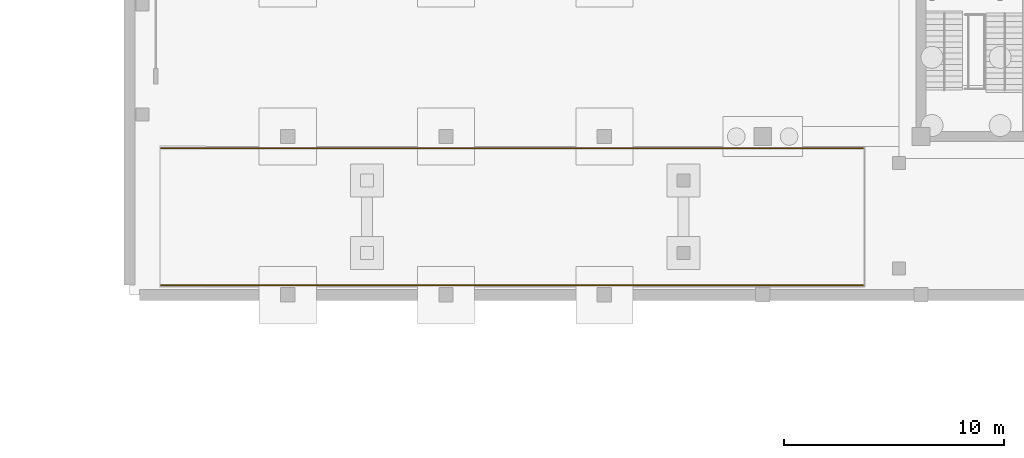
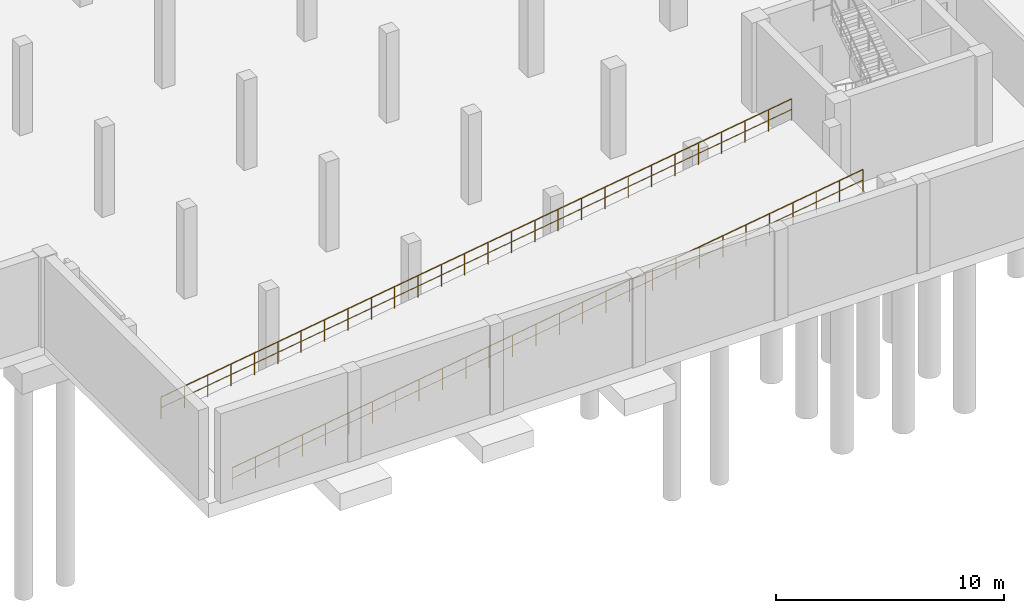
# One storey, part 16 of 19: 2 railings.
"""IFC4 building model written with IfcOpenShell, lengths in metres."""

from ifc_helpers import new_model, si_unit, direction, frame, origin, origin_2d, place, context, subcontext, project, spatial, circle, extrude, material, type_object, element, save


model = new_model("IFC4")

# Units and contexts
model_context = context("Model", 3, precision=1e-05, world=origin(), true_north=direction((0.0, 1.0)))
body_context = subcontext(model_context, "Body", "Model", "MODEL_VIEW")
ifc_project = project(units=[si_unit("LENGTHUNIT", "METRE"), si_unit("AREAUNIT", "SQUARE_METRE"), si_unit("VOLUMEUNIT", "CUBIC_METRE"), si_unit("PLANEANGLEUNIT", "RADIAN"), si_unit("MASSUNIT", "GRAM", prefix="KILO")], contexts=[model_context])

# Site, building, storey
site_placement = place(None, origin())
site = spatial("IfcSite", under=ifc_project, at=site_placement, CompositionType="ELEMENT")
building_placement = place(site_placement, origin())
building = spatial("IfcBuilding", under=site, at=building_placement, Name="Qiaolan Assembly House", CompositionType="ELEMENT")
storey_placement = place(building_placement, frame((0.0, 0.0, -4.800048828125)))
storey = spatial("IfcBuildingStorey", under=building, at=storey_placement, Name="B1", CompositionType="ELEMENT", Elevation=-4.800048828125)

# Railings
ifc_material = material(Name="Anodised bronze aluminium", Category="aluminium")
railing_type = type_object("IfcRailingType", Name="RAL-GUARD-TERRACE-1180", PredefinedType="GUARDRAIL", material=ifc_material)
railing_1_placement = place(storey_placement, frame((141.360107421875, 22.030029296875, 4.7939453125)))
element("IfcRailing", 1, at=railing_1_placement, inside=storey, type_object=railing_type, Name="GR-03 sloped vehicle ramp edge guard GRD-VRMP-B1-S", PredefinedType="GUARDRAIL", context=body_context, shape_type="SweptSolid", body=[
    extrude(circle(Radius=0.02392578125, at=origin_2d()), frame((0.0, 0.0, 1.15576171875), z_axis=(-0.988937185063, 0.0, -0.148334904863), x_axis=(0.0, -1.0, 0.0)), (0.0, 0.0, 1.0), 32.27734375),
    extrude(circle(Radius=0.01611328125, at=origin_2d()), frame((0.0, 0.0, 0.58984375), z_axis=(-0.988937185063, 0.0, -0.148334904863), x_axis=(0.0, -1.0, 0.0)), (0.0, 0.0, 1.0), 32.27734375),
    extrude(circle(Radius=0.02099609375, at=origin_2d()), origin(), (0.0, 0.0, 1.0), 1.1318359375),
    extrude(circle(Radius=0.02099609375, at=origin_2d()), frame((-1.18212890625, 0.0, -0.17724609375)), (0.0, 0.0, 1.0), 1.1318359375),
    extrude(circle(Radius=0.02099609375, at=origin_2d()), frame((-2.364501953125, 0.0, -0.354736328125)), (0.0, 0.0, 1.0), 1.1318359375),
    extrude(circle(Radius=0.02099609375, at=origin_2d()), frame((-3.546630859375, 0.0, -0.531982421875)), (0.0, 0.0, 1.0), 1.1318359375),
    extrude(circle(Radius=0.02099609375, at=origin_2d()), frame((-4.72900390625, 0.0, -0.709228515625)), (0.0, 0.0, 1.0), 1.1318359375),
    extrude(circle(Radius=0.02099609375, at=origin_2d()), frame((-5.9111328125, 0.0, -0.88671875)), (0.0, 0.0, 1.0), 1.1318359375),
    extrude(circle(Radius=0.02099609375, at=origin_2d()), frame((-7.09326171875, 0.0, -1.06396484375)), (0.0, 0.0, 1.0), 1.1318359375),
    extrude(circle(Radius=0.02099609375, at=origin_2d()), frame((-8.275634765625, 0.0, -1.2412109375)), (0.0, 0.0, 1.0), 1.1318359375),
    extrude(circle(Radius=0.02099609375, at=origin_2d()), frame((-9.457763671875, 0.0, -1.418701171875)), (0.0, 0.0, 1.0), 1.1318359375),
    extrude(circle(Radius=0.02099609375, at=origin_2d()), frame((-10.64013671875, 0.0, -1.595947265625)), (0.0, 0.0, 1.0), 1.1318359375),
    extrude(circle(Radius=0.02099609375, at=origin_2d()), frame((-11.822265625, 0.0, -1.773193359375)), (0.0, 0.0, 1.0), 1.1318359375),
    extrude(circle(Radius=0.02099609375, at=origin_2d()), frame((-13.00439453125, 0.0, -1.95068359375)), (0.0, 0.0, 1.0), 1.1318359375),
    extrude(circle(Radius=0.02099609375, at=origin_2d()), frame((-14.186767578125, 0.0, -2.1279296875)), (0.0, 0.0, 1.0), 1.1318359375),
    extrude(circle(Radius=0.02099609375, at=origin_2d()), frame((-15.368896484375, 0.0, -2.30517578125)), (0.0, 0.0, 1.0), 1.1318359375),
    extrude(circle(Radius=0.02099609375, at=origin_2d()), frame((-16.55126953125, 0.0, -2.482666015625)), (0.0, 0.0, 1.0), 1.1318359375),
    extrude(circle(Radius=0.02099609375, at=origin_2d()), frame((-17.7333984375, 0.0, -2.659912109375)), (0.0, 0.0, 1.0), 1.1318359375),
    extrude(circle(Radius=0.02099609375, at=origin_2d()), frame((-18.915771484375, 0.0, -2.837158203125)), (0.0, 0.0, 1.0), 1.1318359375),
    extrude(circle(Radius=0.02099609375, at=origin_2d()), frame((-20.097900390625, 0.0, -3.0146484375)), (0.0, 0.0, 1.0), 1.1318359375),
    extrude(circle(Radius=0.02099609375, at=origin_2d()), frame((-21.280029296875, 0.0, -3.19189453125)), (0.0, 0.0, 1.0), 1.1318359375),
    extrude(circle(Radius=0.02099609375, at=origin_2d()), frame((-22.46240234375, 0.0, -3.369140625)), (0.0, 0.0, 1.0), 1.1318359375),
    extrude(circle(Radius=0.02099609375, at=origin_2d()), frame((-23.64453125, 0.0, -3.546630859375)), (0.0, 0.0, 1.0), 1.1318359375),
    extrude(circle(Radius=0.02099609375, at=origin_2d()), frame((-24.826904296875, 0.0, -3.723876953125)), (0.0, 0.0, 1.0), 1.1318359375),
    extrude(circle(Radius=0.02099609375, at=origin_2d()), frame((-26.009033203125, 0.0, -3.901123046875)), (0.0, 0.0, 1.0), 1.1318359375),
    extrude(circle(Radius=0.02099609375, at=origin_2d()), frame((-27.191162109375, 0.0, -4.07861328125)), (0.0, 0.0, 1.0), 1.1318359375),
    extrude(circle(Radius=0.02099609375, at=origin_2d()), frame((-28.37353515625, 0.0, -4.255859375)), (0.0, 0.0, 1.0), 1.1318359375),
    extrude(circle(Radius=0.02099609375, at=origin_2d()), frame((-29.5556640625, 0.0, -4.43310546875)), (0.0, 0.0, 1.0), 1.1318359375),
    extrude(circle(Radius=0.02099609375, at=origin_2d()), frame((-30.738037109375, 0.0, -4.610595703125)), (0.0, 0.0, 1.0), 1.1318359375),
    extrude(circle(Radius=0.02099609375, at=origin_2d()), frame((-31.920166015625, 0.0, -4.787841796875)), (0.0, 0.0, 1.0), 1.1318359375),
])
railing_2_placement = place(storey_placement, frame((141.360107421875, 28.27001953125, 4.7939453125)))
element("IfcRailing", 2, at=railing_2_placement, inside=storey, type_object=railing_type, Name="GR-03 sloped vehicle ramp edge guard GRD-VRMP-B1-N", PredefinedType="GUARDRAIL", context=body_context, shape_type="SweptSolid", body=[
    extrude(circle(Radius=0.02392578125, at=origin_2d()), frame((0.0, 0.0, 1.15576171875), z_axis=(-0.988937185063, 0.0, -0.148334904863), x_axis=(0.0, -1.0, 0.0)), (0.0, 0.0, 1.0), 32.27734375),
    extrude(circle(Radius=0.01611328125, at=origin_2d()), frame((0.0, 0.0, 0.58984375), z_axis=(-0.988937185063, 0.0, -0.148334904863), x_axis=(0.0, -1.0, 0.0)), (0.0, 0.0, 1.0), 32.27734375),
    extrude(circle(Radius=0.02099609375, at=origin_2d()), origin(), (0.0, 0.0, 1.0), 1.1318359375),
    extrude(circle(Radius=0.02099609375, at=origin_2d()), frame((-1.18212890625, 0.0, -0.17724609375)), (0.0, 0.0, 1.0), 1.1318359375),
    extrude(circle(Radius=0.02099609375, at=origin_2d()), frame((-2.364501953125, 0.0, -0.354736328125)), (0.0, 0.0, 1.0), 1.1318359375),
    extrude(circle(Radius=0.02099609375, at=origin_2d()), frame((-3.546630859375, 0.0, -0.531982421875)), (0.0, 0.0, 1.0), 1.1318359375),
    extrude(circle(Radius=0.02099609375, at=origin_2d()), frame((-4.72900390625, 0.0, -0.709228515625)), (0.0, 0.0, 1.0), 1.1318359375),
    extrude(circle(Radius=0.02099609375, at=origin_2d()), frame((-5.9111328125, 0.0, -0.88671875)), (0.0, 0.0, 1.0), 1.1318359375),
    extrude(circle(Radius=0.02099609375, at=origin_2d()), frame((-7.09326171875, 0.0, -1.06396484375)), (0.0, 0.0, 1.0), 1.1318359375),
    extrude(circle(Radius=0.02099609375, at=origin_2d()), frame((-8.275634765625, 0.0, -1.2412109375)), (0.0, 0.0, 1.0), 1.1318359375),
    extrude(circle(Radius=0.02099609375, at=origin_2d()), frame((-9.457763671875, 0.0, -1.418701171875)), (0.0, 0.0, 1.0), 1.1318359375),
    extrude(circle(Radius=0.02099609375, at=origin_2d()), frame((-10.64013671875, 0.0, -1.595947265625)), (0.0, 0.0, 1.0), 1.1318359375),
    extrude(circle(Radius=0.02099609375, at=origin_2d()), frame((-11.822265625, 0.0, -1.773193359375)), (0.0, 0.0, 1.0), 1.1318359375),
    extrude(circle(Radius=0.02099609375, at=origin_2d()), frame((-13.00439453125, 0.0, -1.95068359375)), (0.0, 0.0, 1.0), 1.1318359375),
    extrude(circle(Radius=0.02099609375, at=origin_2d()), frame((-14.186767578125, 0.0, -2.1279296875)), (0.0, 0.0, 1.0), 1.1318359375),
    extrude(circle(Radius=0.02099609375, at=origin_2d()), frame((-15.368896484375, 0.0, -2.30517578125)), (0.0, 0.0, 1.0), 1.1318359375),
    extrude(circle(Radius=0.02099609375, at=origin_2d()), frame((-16.55126953125, 0.0, -2.482666015625)), (0.0, 0.0, 1.0), 1.1318359375),
    extrude(circle(Radius=0.02099609375, at=origin_2d()), frame((-17.7333984375, 0.0, -2.659912109375)), (0.0, 0.0, 1.0), 1.1318359375),
    extrude(circle(Radius=0.02099609375, at=origin_2d()), frame((-18.915771484375, 0.0, -2.837158203125)), (0.0, 0.0, 1.0), 1.1318359375),
    extrude(circle(Radius=0.02099609375, at=origin_2d()), frame((-20.097900390625, 0.0, -3.0146484375)), (0.0, 0.0, 1.0), 1.1318359375),
    extrude(circle(Radius=0.02099609375, at=origin_2d()), frame((-21.280029296875, 0.0, -3.19189453125)), (0.0, 0.0, 1.0), 1.1318359375),
    extrude(circle(Radius=0.02099609375, at=origin_2d()), frame((-22.46240234375, 0.0, -3.369140625)), (0.0, 0.0, 1.0), 1.1318359375),
    extrude(circle(Radius=0.02099609375, at=origin_2d()), frame((-23.64453125, 0.0, -3.546630859375)), (0.0, 0.0, 1.0), 1.1318359375),
    extrude(circle(Radius=0.02099609375, at=origin_2d()), frame((-24.826904296875, 0.0, -3.723876953125)), (0.0, 0.0, 1.0), 1.1318359375),
    extrude(circle(Radius=0.02099609375, at=origin_2d()), frame((-26.009033203125, 0.0, -3.901123046875)), (0.0, 0.0, 1.0), 1.1318359375),
    extrude(circle(Radius=0.02099609375, at=origin_2d()), frame((-27.191162109375, 0.0, -4.07861328125)), (0.0, 0.0, 1.0), 1.1318359375),
    extrude(circle(Radius=0.02099609375, at=origin_2d()), frame((-28.37353515625, 0.0, -4.255859375)), (0.0, 0.0, 1.0), 1.1318359375),
    extrude(circle(Radius=0.02099609375, at=origin_2d()), frame((-29.5556640625, 0.0, -4.43310546875)), (0.0, 0.0, 1.0), 1.1318359375),
    extrude(circle(Radius=0.02099609375, at=origin_2d()), frame((-30.738037109375, 0.0, -4.610595703125)), (0.0, 0.0, 1.0), 1.1318359375),
    extrude(circle(Radius=0.02099609375, at=origin_2d()), frame((-31.920166015625, 0.0, -4.787841796875)), (0.0, 0.0, 1.0), 1.1318359375),
])

save(model, "model.ifc")
